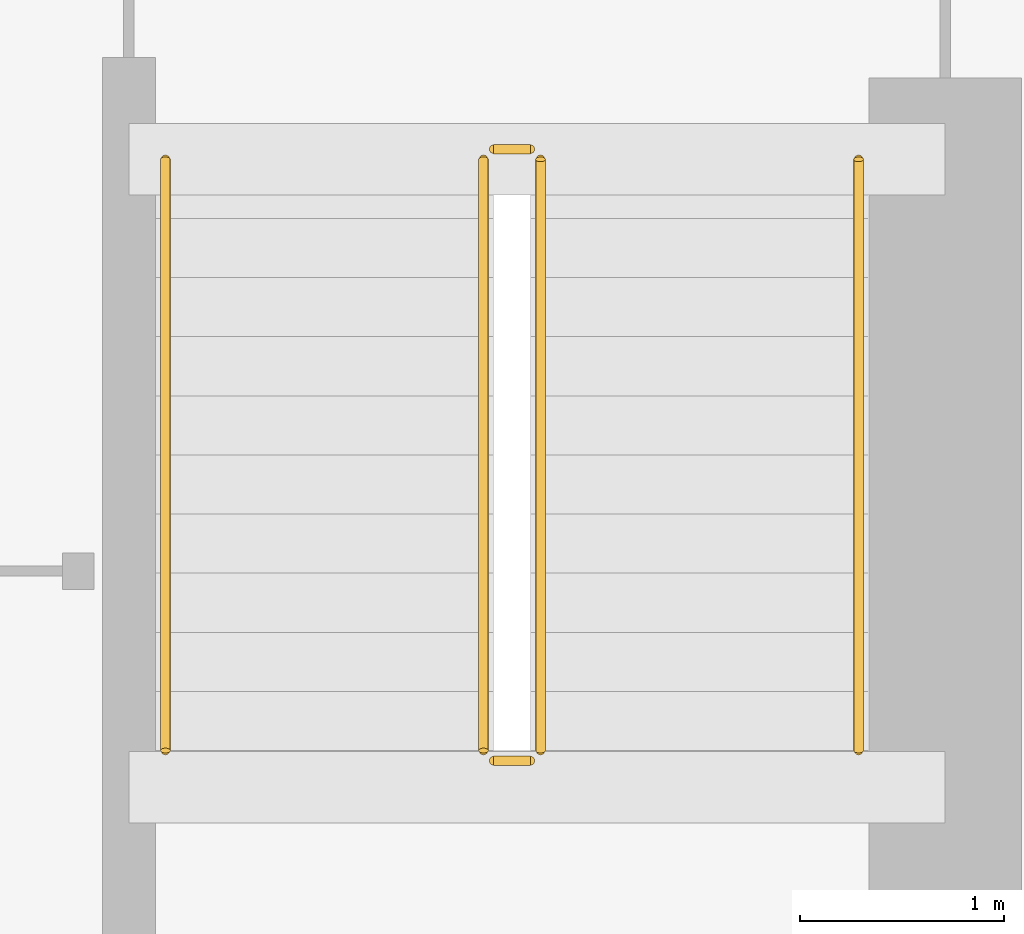
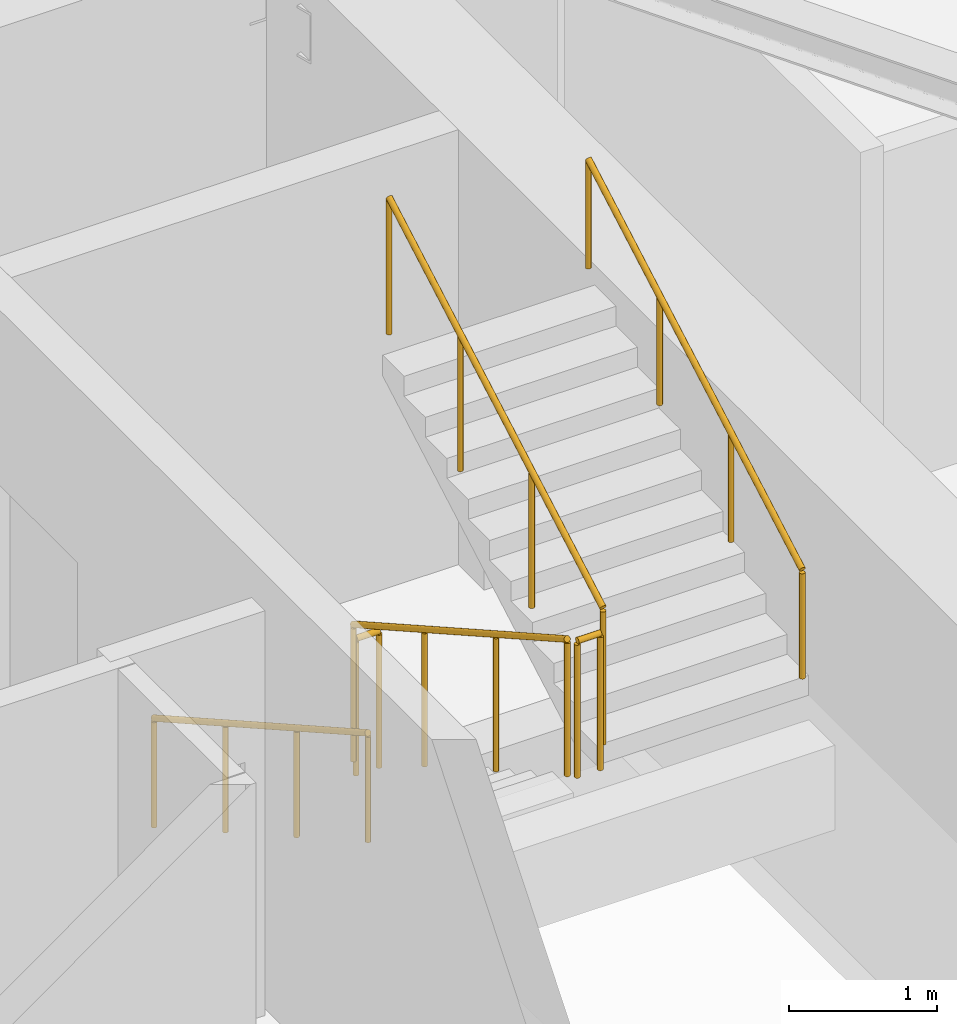
# One storey, part 10 of 10: 6 railings.
"""IFC4 building model written with IfcOpenShell, lengths in metres."""

from ifc_helpers import new_model, si_unit, direction, frame, origin, origin_2d, place, context, subcontext, project, spatial, circle, extrude, material, type_object, element, save


model = new_model("IFC4")

# Units and contexts
model_context = context("Model", 3, precision=1e-05, world=origin(), true_north=direction((0.0, 1.0)))
body_context = subcontext(model_context, "Body", "Model", "MODEL_VIEW")
ifc_project = project(units=[si_unit("LENGTHUNIT", "METRE"), si_unit("AREAUNIT", "SQUARE_METRE"), si_unit("VOLUMEUNIT", "CUBIC_METRE"), si_unit("PLANEANGLEUNIT", "RADIAN"), si_unit("MASSUNIT", "GRAM", prefix="KILO")], contexts=[model_context])

# Site, building, storey
site_placement = place(None, origin())
site = spatial("IfcSite", under=ifc_project, at=site_placement, CompositionType="ELEMENT")
building_placement = place(site_placement, origin())
building = spatial("IfcBuilding", under=site, at=building_placement, Name="Calvemar Wedge Station Tower", CompositionType="ELEMENT")
storey_placement = place(building_placement, frame((0.0, 0.0, 153.800048828125)))
storey = spatial("IfcBuildingStorey", under=building, at=storey_placement, Name="L38", CompositionType="ELEMENT", Elevation=153.800048828125)

# Railings
ifc_material_1 = material(Name="Stainless steel AISI 316L", Category="steel")
railing_type_1 = type_object("IfcRailingType", Name="RL-HANDRAIL-920", PredefinedType="HANDRAIL", material=ifc_material_1)
railing_1_placement = place(storey_placement, frame((27.550048828125, 41.14990234375, 0.16357421875)))
element("IfcRailing", 1, at=railing_1_placement, inside=storey, type_object=railing_type_1, Name="L38 ST-C2 stair handrail 1", PredefinedType="HANDRAIL", context=body_context, shape_type="SweptSolid", body=[
    extrude(circle(Radius=0.02392578125, at=origin_2d()), frame((0.0, 0.0, 0.89599609375), z_axis=(0.0, -0.870897200241, 0.491465224214), x_axis=(1.0, 0.0, 0.0)), (0.0, 0.0, 1.0), 3.329833984375),
    extrude(circle(Radius=0.02099609375, at=origin_2d()), origin(), (0.0, 0.0, 1.0), 0.871826171875),
    extrude(circle(Radius=0.02099609375, at=origin_2d()), frame((0.0, -0.966552734375, 0.54541015625)), (0.0, 0.0, 1.0), 0.871826171875),
    extrude(circle(Radius=0.02099609375, at=origin_2d()), frame((0.0, -1.933349609375, 1.091064453125)), (0.0, 0.0, 1.0), 0.871826171875),
    extrude(circle(Radius=0.02099609375, at=origin_2d()), frame((0.0, -2.89990234375, 1.636474609375)), (0.0, 0.0, 1.0), 0.871826171875),
])
railing_2_placement = place(storey_placement, frame((30.949951171875, 38.25, 1.963623046875)))
element("IfcRailing", 2, at=railing_2_placement, inside=storey, type_object=railing_type_1, Name="L38 ST-C2 stair handrail 2", PredefinedType="HANDRAIL", context=body_context, shape_type="SweptSolid", body=[
    extrude(circle(Radius=0.02392578125, at=origin_2d()), frame((0.0, 0.0, 0.89599609375), z_axis=(0.0, 0.870928581787, 0.491409610636), x_axis=(-1.0, 0.0, 0.0)), (0.0, 0.0, 1.0), 3.32958984375),
    extrude(circle(Radius=0.02099609375, at=origin_2d()), origin(), (0.0, 0.0, 1.0), 0.871826171875),
    extrude(circle(Radius=0.02099609375, at=origin_2d()), frame((0.0, 0.966552734375, 0.54541015625)), (0.0, 0.0, 1.0), 0.871826171875),
    extrude(circle(Radius=0.02099609375, at=origin_2d()), frame((0.0, 1.933349609375, 1.0908203125)), (0.0, 0.0, 1.0), 0.871826171875),
    extrude(circle(Radius=0.02099609375, at=origin_2d()), frame((0.0, 2.89990234375, 1.63623046875)), (0.0, 0.0, 1.0), 0.871826171875),
])
ifc_material_2 = material(Name="Painted steel guardrail ASTM A500 Grade C", Category="steel")
railing_type_2 = type_object("IfcRailingType", Name="RL-STAIR-GUARD-1150", PredefinedType="GUARDRAIL", material=ifc_material_2)
railing_3_placement = place(storey_placement, frame((29.110107421875, 41.14990234375, 0.16357421875)))
element("IfcRailing", 3, at=railing_3_placement, inside=storey, type_object=railing_type_2, Name="L38 ST-C2 stair guard 1", PredefinedType="GUARDRAIL", context=body_context, shape_type="SweptSolid", body=[
    extrude(circle(Radius=0.02392578125, at=origin_2d()), frame((0.0, 0.0, 1.1259765625), z_axis=(0.0, -0.870897200241, 0.491465224214), x_axis=(1.0, 0.0, 0.0)), (0.0, 0.0, 1.0), 3.329833984375),
    extrude(circle(Radius=0.02099609375, at=origin_2d()), origin(), (0.0, 0.0, 1.0), 1.101806640625),
    extrude(circle(Radius=0.02099609375, at=origin_2d()), frame((0.0, -0.966552734375, 0.54541015625)), (0.0, 0.0, 1.0), 1.101806640625),
    extrude(circle(Radius=0.02099609375, at=origin_2d()), frame((0.0, -1.933349609375, 1.091064453125)), (0.0, 0.0, 1.0), 1.101806640625),
    extrude(circle(Radius=0.02099609375, at=origin_2d()), frame((0.0, -2.89990234375, 1.636474609375)), (0.0, 0.0, 1.0), 1.101806640625),
])
railing_4_placement = place(storey_placement, frame((29.159912109375, 38.199951171875, 1.800048828125)))
element("IfcRailing", 4, at=railing_4_placement, inside=storey, type_object=railing_type_2, Name="L38 ST-C2 stair guard 2", PredefinedType="GUARDRAIL", context=body_context, shape_type="SweptSolid", body=[
    extrude(circle(Radius=0.02392578125, at=origin_2d()), frame((0.0, 0.0, 1.1259765625), z_axis=(1.0, 0.0, 0.0), x_axis=(0.0, 1.0, 0.0)), (0.0, 0.0, 1.0), 0.18017578125),
    extrude(circle(Radius=0.02099609375, at=origin_2d()), origin(), (0.0, 0.0, 1.0), 1.101806640625),
    extrude(circle(Radius=0.02099609375, at=origin_2d()), frame((0.18017578125, 0.0, 0.0)), (0.0, 0.0, 1.0), 1.101806640625),
])
railing_5_placement = place(storey_placement, frame((29.389892578125, 38.25, 1.963623046875)))
element("IfcRailing", 5, at=railing_5_placement, inside=storey, type_object=railing_type_2, Name="L38 ST-C2 stair guard 3", PredefinedType="GUARDRAIL", context=body_context, shape_type="SweptSolid", body=[
    extrude(circle(Radius=0.02392578125, at=origin_2d()), frame((0.0, 0.0, 1.1259765625), z_axis=(0.0, 0.870928581787, 0.491409610636), x_axis=(-1.0, 0.0, 0.0)), (0.0, 0.0, 1.0), 3.32958984375),
    extrude(circle(Radius=0.02099609375, at=origin_2d()), origin(), (0.0, 0.0, 1.0), 1.101806640625),
    extrude(circle(Radius=0.02099609375, at=origin_2d()), frame((0.0, 0.966552734375, 0.54541015625)), (0.0, 0.0, 1.0), 1.101806640625),
    extrude(circle(Radius=0.02099609375, at=origin_2d()), frame((0.0, 1.933349609375, 1.0908203125)), (0.0, 0.0, 1.0), 1.101806640625),
    extrude(circle(Radius=0.02099609375, at=origin_2d()), frame((0.0, 2.89990234375, 1.63623046875)), (0.0, 0.0, 1.0), 1.101806640625),
])
railing_6_placement = place(storey_placement, frame((29.159912109375, 41.199951171875, 0.0)))
element("IfcRailing", 6, at=railing_6_placement, inside=storey, type_object=railing_type_2, Name="L38 ST-C2 stair guard 4", PredefinedType="GUARDRAIL", context=body_context, shape_type="SweptSolid", body=[
    extrude(circle(Radius=0.02392578125, at=origin_2d()), frame((0.0, 0.0, 1.1259765625), z_axis=(1.0, 0.0, 0.0), x_axis=(0.0, 1.0, 0.0)), (0.0, 0.0, 1.0), 0.18017578125),
    extrude(circle(Radius=0.02099609375, at=origin_2d()), origin(), (0.0, 0.0, 1.0), 1.101806640625),
    extrude(circle(Radius=0.02099609375, at=origin_2d()), frame((0.18017578125, 0.0, 0.0)), (0.0, 0.0, 1.0), 1.101806640625),
])

save(model, "model.ifc")
